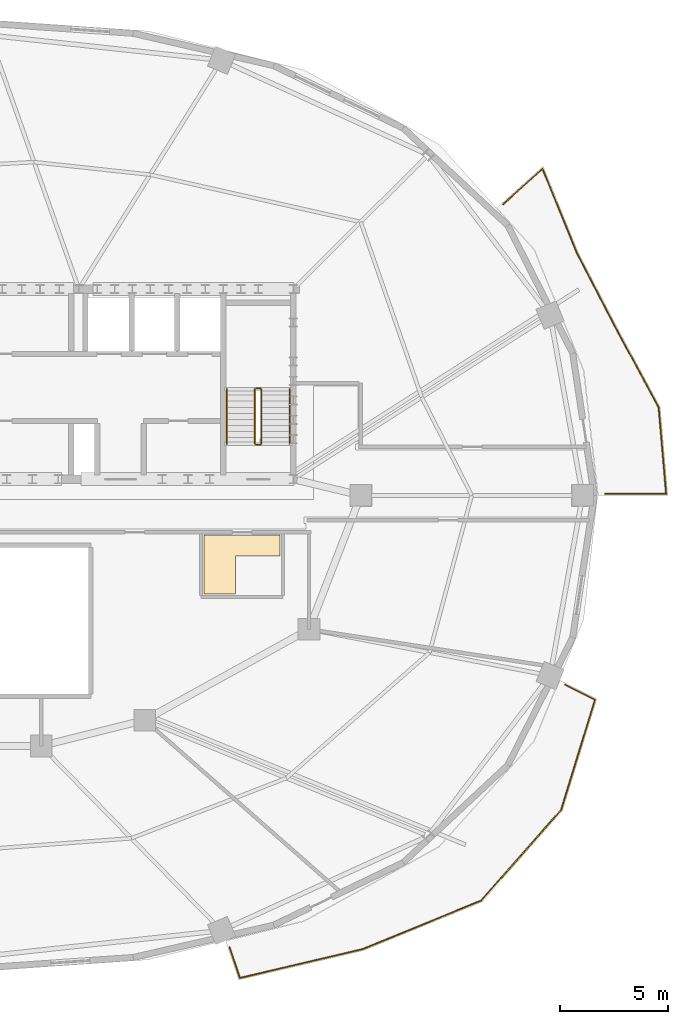
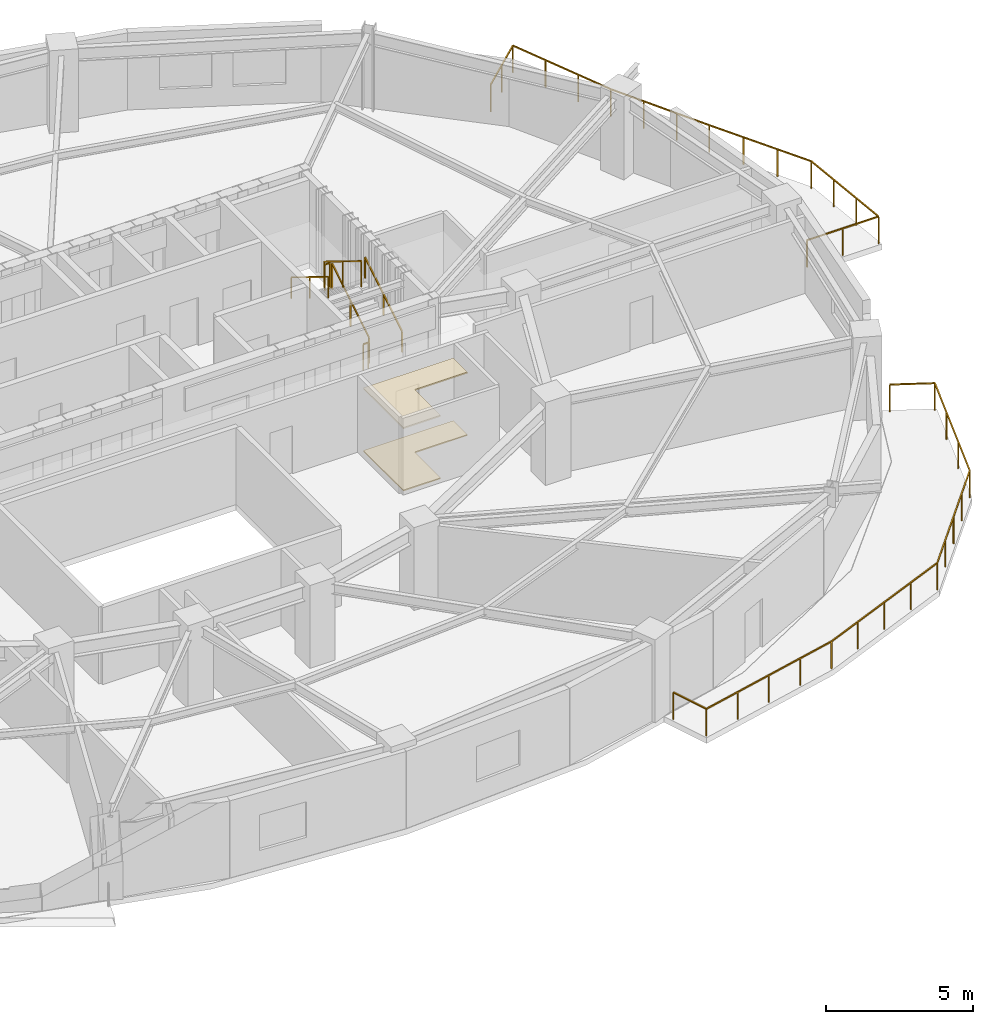
# One storey, part 11 of 11: 8 railings, 2 coverings.
"""IFC4 building model written with IfcOpenShell, lengths in metres."""

from ifc_helpers import new_model, si_unit, direction, frame, origin, origin_2d, place, context, subcontext, project, spatial, polyline, rectangle, outline, extrude, material, layer, layer_set, type_object, element, save


model = new_model("IFC4")

# Units and contexts
model_context = context("Model", 3, precision=1e-05, world=origin(), true_north=direction((0.0, 1.0)))
body_context = subcontext(model_context, "Body", "Model", "MODEL_VIEW")
ifc_project = project(units=[si_unit("LENGTHUNIT", "METRE"), si_unit("AREAUNIT", "SQUARE_METRE"), si_unit("VOLUMEUNIT", "CUBIC_METRE"), si_unit("PLANEANGLEUNIT", "RADIAN"), si_unit("MASSUNIT", "GRAM", prefix="KILO")], contexts=[model_context])

# Site, building, storey
site_placement = place(None, origin())
site = spatial("IfcSite", under=ifc_project, at=site_placement, CompositionType="ELEMENT")
building_placement = place(site_placement, origin())
building = spatial("IfcBuilding", under=site, at=building_placement, Name="Haldorwick Loom Tower", CompositionType="ELEMENT")
storey_placement = place(building_placement, frame((0.0, 0.0, 227.10009765625)))
storey = spatial("IfcBuildingStorey", under=building, at=storey_placement, Name="L61", CompositionType="ELEMENT", Elevation=227.10009765625)

# Coverings
ifc_material_1 = material(Name="Mineral Fibre Acoustic Ceiling Tile")
ifc_layer_1 = layer(ifc_material_1, 0.054931640625, Name="Mineral Fibre Acoustic Ceiling Tile")
ifc_layer_set_1 = layer_set([ifc_layer_1], Name="Mineral Fibre Acoustic Ceiling Tile")
covering_type_1 = type_object("IfcCoveringType", Name="ARC-COV-CEIL2", PredefinedType="CEILING", material=ifc_layer_set_1)
covering_1_placement = place(storey_placement, frame((0.0, 0.0, 2.594970703125)))
element("IfcCovering", 1, at=covering_1_placement, inside=storey, type_object=covering_type_1, Name="L61 Acoustic Suspended Ceiling 2", PredefinedType="CEILING", context=body_context, shape_type="SweptSolid", body=[
    extrude(outline(polyline([(45.929931640625, 24.159912109375), (45.929931640625, 21.429931640625), (47.39990234375, 21.429931640625), (47.39990234375, 23.199951171875), (49.469970703125, 23.199951171875), (49.469970703125, 24.159912109375), (45.929931640625, 24.159912109375)])), origin(), (0.0, 0.0, 1.0), 0.054931640625),
])
ifc_material_2 = material(Name="Polished Aggregate Terrazzo Finish")
ifc_layer_2 = layer(ifc_material_2, 0.044921875, Name="Polished Aggregate Terrazzo Finish")
ifc_layer_set_2 = layer_set([ifc_layer_2], Name="Polished Aggregate Terrazzo Finish")
covering_type_2 = type_object("IfcCoveringType", Name="ARC-COV-FLOOR2", PredefinedType="FLOORING", material=ifc_layer_set_2)
covering_2_placement = place(storey_placement, origin())
element("IfcCovering", 2, at=covering_2_placement, inside=storey, type_object=covering_type_2, Name="L61 Floor Finish 2", PredefinedType="FLOORING", context=body_context, shape_type="SweptSolid", body=[
    extrude(outline(polyline([(45.929931640625, 24.159912109375), (45.929931640625, 21.429931640625), (47.39990234375, 21.429931640625), (47.39990234375, 23.199951171875), (49.469970703125, 23.199951171875), (49.469970703125, 24.159912109375), (45.929931640625, 24.159912109375)])), origin(), (0.0, 0.0, 1.0), 0.044921875),
])

# Railings
ifc_material_3 = material(Name="Galvanized Steel CSA G40.21 350W", Category="steel")
railing_type_1 = type_object("IfcRailingType", Name="ARC-RLG-BAL115", PredefinedType="BALUSTRADE", material=ifc_material_3)
railing_1_placement = place(storey_placement, frame((62.661865234375, 17.236572265625, 0.0)))
element("IfcRailing", 3, at=railing_1_placement, inside=storey, type_object=railing_type_1, Name="L61 Outdoor Terrace Guardrail SLB-L61-BAL_SE-1", PredefinedType="BALUSTRADE", context=body_context, shape_type="SweptSolid", body=[
    extrude(rectangle(XDim=0.048095703125, YDim=0.048095703125, at=origin_2d()), frame((0.0, 0.0, 1.1259765625), z_axis=(0.892070683067, -0.451895891121, 0.0), x_axis=(0.451895891121, 0.892070683067, 0.0)), (0.0, 0.0, 1.0), 1.541259765625),
    extrude(rectangle(XDim=0.048095703125, YDim=0.048095703125, at=origin_2d()), frame((1.375, -0.696533203125, 1.1259765625), z_axis=(-0.294076193871, -0.955781979427, 0.0), x_axis=(0.955781979427, -0.294076193871, 0.0)), (0.0, 0.0, 1.0), 5.33056640625),
    extrude(rectangle(XDim=0.048095703125, YDim=0.048095703125, at=origin_2d()), frame((-0.192626953125, -5.79150390625, 1.1259765625), z_axis=(-0.661438460984, -0.749999441554, 0.0), x_axis=(0.749999441554, -0.661438460984, 0.0)), (0.0, 0.0, 1.0), 5.598876953125),
    extrude(rectangle(XDim=0.048095703125, YDim=0.048095703125, at=origin_2d()), frame((-3.89599609375, -9.99072265625, 1.1259765625), z_axis=(-0.925182772221, -0.379521854425, 0.0), x_axis=(0.379521854425, -0.925182772221, 0.0)), (0.0, 0.0, 1.0), 5.901611328125),
    extrude(rectangle(XDim=0.048095703125, YDim=0.048095703125, at=origin_2d()), frame((-9.35595703125, -12.23046875, 1.1259765625), z_axis=(-0.973411154272, -0.229064891984, 0.0), x_axis=(0.229064891984, -0.973411154272, 0.0)), (0.0, 0.0, 1.0), 5.856689453125),
    extrude(rectangle(XDim=0.048095703125, YDim=0.048095703125, at=origin_2d()), frame((-15.056884765625, -13.572021484375, 1.1259765625), z_axis=(-0.322484610665, 0.946574706975, 0.0), x_axis=(-0.946574706975, -0.322484610665, 0.0)), (0.0, 0.0, 1.0), 1.496826171875),
    extrude(rectangle(XDim=0.0419921875, YDim=0.0419921875, at=origin_2d()), origin(), (0.0, 0.0, 1.0), 1.101806640625),
    extrude(rectangle(XDim=0.0419921875, YDim=0.0419921875, at=origin_2d()), frame((1.375, -0.696533203125, 0.0)), (0.0, 0.0, 1.0), 1.101806640625),
    extrude(rectangle(XDim=0.0419921875, YDim=0.0419921875, at=origin_2d()), frame((0.8525390625, -2.394775390625, 0.0)), (0.0, 0.0, 1.0), 1.101806640625),
    extrude(rectangle(XDim=0.0419921875, YDim=0.0419921875, at=origin_2d()), frame((0.329833984375, -4.09326171875, 0.0)), (0.0, 0.0, 1.0), 1.101806640625),
    extrude(rectangle(XDim=0.0419921875, YDim=0.0419921875, at=origin_2d()), frame((-0.192626953125, -5.79150390625, 0.0)), (0.0, 0.0, 1.0), 1.101806640625),
    extrude(rectangle(XDim=0.0419921875, YDim=0.0419921875, at=origin_2d()), frame((-1.118408203125, -6.84130859375, 0.0)), (0.0, 0.0, 1.0), 1.101806640625),
    extrude(rectangle(XDim=0.0419921875, YDim=0.0419921875, at=origin_2d()), frame((-2.04443359375, -7.89111328125, 0.0)), (0.0, 0.0, 1.0), 1.101806640625),
    extrude(rectangle(XDim=0.0419921875, YDim=0.0419921875, at=origin_2d()), frame((-2.97021484375, -8.94091796875, 0.0)), (0.0, 0.0, 1.0), 1.101806640625),
    extrude(rectangle(XDim=0.0419921875, YDim=0.0419921875, at=origin_2d()), frame((-3.89599609375, -9.99072265625, 0.0)), (0.0, 0.0, 1.0), 1.101806640625),
    extrude(rectangle(XDim=0.0419921875, YDim=0.0419921875, at=origin_2d()), frame((-5.260986328125, -10.55078125, 0.0)), (0.0, 0.0, 1.0), 1.101806640625),
    extrude(rectangle(XDim=0.0419921875, YDim=0.0419921875, at=origin_2d()), frame((-6.6259765625, -11.110595703125, 0.0)), (0.0, 0.0, 1.0), 1.101806640625),
    extrude(rectangle(XDim=0.0419921875, YDim=0.0419921875, at=origin_2d()), frame((-7.990966796875, -11.67041015625, 0.0)), (0.0, 0.0, 1.0), 1.101806640625),
    extrude(rectangle(XDim=0.0419921875, YDim=0.0419921875, at=origin_2d()), frame((-9.35595703125, -12.23046875, 0.0)), (0.0, 0.0, 1.0), 1.101806640625),
    extrude(rectangle(XDim=0.0419921875, YDim=0.0419921875, at=origin_2d()), frame((-10.78125, -12.56591796875, 0.0)), (0.0, 0.0, 1.0), 1.101806640625),
    extrude(rectangle(XDim=0.0419921875, YDim=0.0419921875, at=origin_2d()), frame((-12.20654296875, -12.9013671875, 0.0)), (0.0, 0.0, 1.0), 1.101806640625),
    extrude(rectangle(XDim=0.0419921875, YDim=0.0419921875, at=origin_2d()), frame((-13.631591796875, -13.236572265625, 0.0)), (0.0, 0.0, 1.0), 1.101806640625),
    extrude(rectangle(XDim=0.0419921875, YDim=0.0419921875, at=origin_2d()), frame((-15.056884765625, -13.572021484375, 0.0)), (0.0, 0.0, 1.0), 1.101806640625),
    extrude(rectangle(XDim=0.0419921875, YDim=0.0419921875, at=origin_2d()), frame((-15.53955078125, -12.1552734375, 0.0)), (0.0, 0.0, 1.0), 1.101806640625),
])
railing_2_placement = place(storey_placement, frame((59.78955078125, 39.4794921875, 0.0)))
element("IfcRailing", 4, at=railing_2_placement, inside=storey, type_object=railing_type_1, Name="L61 Outdoor Terrace Guardrail SLB-L61-BAL_ENE-1", PredefinedType="BALUSTRADE", context=body_context, shape_type="SweptSolid", body=[
    extrude(rectangle(XDim=0.048095703125, YDim=0.048095703125, at=origin_2d()), frame((0.0, 0.0, 1.1259765625), z_axis=(0.743527246885, 0.668705640128, 0.0), x_axis=(-0.668705640128, 0.743527246885, 0.0)), (0.0, 0.0, 1.0), 2.447265625),
    extrude(rectangle(XDim=0.048095703125, YDim=0.048095703125, at=origin_2d()), frame((1.819580078125, 1.636474609375, 1.1259765625), z_axis=(0.377677997982, -0.92593700101, 0.0), x_axis=(0.92593700101, 0.377677997982, 0.0)), (0.0, 0.0, 1.0), 4.232177734375),
    extrude(rectangle(XDim=0.048095703125, YDim=0.048095703125, at=origin_2d()), frame((3.41796875, -2.2822265625, 1.1259765625), z_axis=(0.421111306455, -0.907008967748, 0.0), x_axis=(0.907008967748, 0.421111306455, 0.0)), (0.0, 0.0, 1.0), 0.007568359375),
    extrude(rectangle(XDim=0.048095703125, YDim=0.048095703125, at=origin_2d()), frame((3.421142578125, -2.2890625, 1.1259765625), z_axis=(0.461673716172, -0.887049818102, 0.0), x_axis=(0.887049818102, 0.461673716172, 0.0)), (0.0, 0.0, 1.0), 3.97509765625),
    extrude(rectangle(XDim=0.048095703125, YDim=0.048095703125, at=origin_2d()), frame((5.25634765625, -5.815185546875, 1.1259765625), z_axis=(0.514495755428, -0.857492925713, 0.0), x_axis=(0.857492925713, 0.514495755428, 0.0)), (0.0, 0.0, 1.0), 0.00146484375),
    extrude(rectangle(XDim=0.048095703125, YDim=0.048095703125, at=origin_2d()), frame((5.257080078125, -5.81640625, 1.1259765625), z_axis=(0.474609343483, -0.880196552526, 0.0), x_axis=(0.880196552526, 0.474609343483, 0.0)), (0.0, 0.0, 1.0), 4.08544921875),
    extrude(rectangle(XDim=0.048095703125, YDim=0.048095703125, at=origin_2d()), frame((7.196044921875, -9.412353515625, 1.1259765625), z_axis=(0.085837181649, -0.99630917804, 0.0), x_axis=(0.99630917804, 0.085837181649, 0.0)), (0.0, 0.0, 1.0), 4.001708984375),
    extrude(rectangle(XDim=0.048095703125, YDim=0.048095703125, at=origin_2d()), frame((7.53955078125, -13.3994140625, 1.1259765625), z_axis=(-1.0, 0.0, 0.0), x_axis=(0.0, -1.0, 0.0)), (0.0, 0.0, 1.0), 2.819580078125),
    extrude(rectangle(XDim=0.0419921875, YDim=0.0419921875, at=origin_2d()), origin(), (0.0, 0.0, 1.0), 1.101806640625),
    extrude(rectangle(XDim=0.0419921875, YDim=0.0419921875, at=origin_2d()), frame((0.90966796875, 0.818359375, 0.0)), (0.0, 0.0, 1.0), 1.101806640625),
    extrude(rectangle(XDim=0.0419921875, YDim=0.0419921875, at=origin_2d()), frame((1.819580078125, 1.636474609375, 0.0)), (0.0, 0.0, 1.0), 1.101806640625),
    extrude(rectangle(XDim=0.0419921875, YDim=0.0419921875, at=origin_2d()), frame((2.352294921875, 0.330322265625, 0.0)), (0.0, 0.0, 1.0), 1.101806640625),
    extrude(rectangle(XDim=0.0419921875, YDim=0.0419921875, at=origin_2d()), frame((2.88525390625, -0.97607421875, 0.0)), (0.0, 0.0, 1.0), 1.101806640625),
    extrude(rectangle(XDim=0.0419921875, YDim=0.0419921875, at=origin_2d()), frame((3.41796875, -2.2822265625, 0.0)), (0.0, 0.0, 1.0), 1.101806640625),
    extrude(rectangle(XDim=0.0419921875, YDim=0.0419921875, at=origin_2d()), frame((4.032958984375, -3.46435546875, 0.0)), (0.0, 0.0, 1.0), 1.101806640625),
    extrude(rectangle(XDim=0.0419921875, YDim=0.0419921875, at=origin_2d()), frame((4.64453125, -4.639892578125, 0.0)), (0.0, 0.0, 1.0), 1.101806640625),
    extrude(rectangle(XDim=0.0419921875, YDim=0.0419921875, at=origin_2d()), frame((5.25634765625, -5.815185546875, 0.0)), (0.0, 0.0, 1.0), 1.101806640625),
    extrude(rectangle(XDim=0.0419921875, YDim=0.0419921875, at=origin_2d()), frame((5.9033203125, -7.01513671875, 0.0)), (0.0, 0.0, 1.0), 1.101806640625),
    extrude(rectangle(XDim=0.0419921875, YDim=0.0419921875, at=origin_2d()), frame((6.5498046875, -8.213623046875, 0.0)), (0.0, 0.0, 1.0), 1.101806640625),
    extrude(rectangle(XDim=0.0419921875, YDim=0.0419921875, at=origin_2d()), frame((7.196044921875, -9.412353515625, 0.0)), (0.0, 0.0, 1.0), 1.101806640625),
    extrude(rectangle(XDim=0.0419921875, YDim=0.0419921875, at=origin_2d()), frame((7.310546875, -10.741455078125, 0.0)), (0.0, 0.0, 1.0), 1.101806640625),
    extrude(rectangle(XDim=0.0419921875, YDim=0.0419921875, at=origin_2d()), frame((7.425048828125, -12.0703125, 0.0)), (0.0, 0.0, 1.0), 1.101806640625),
    extrude(rectangle(XDim=0.0419921875, YDim=0.0419921875, at=origin_2d()), frame((7.53955078125, -13.3994140625, 0.0)), (0.0, 0.0, 1.0), 1.101806640625),
    extrude(rectangle(XDim=0.0419921875, YDim=0.0419921875, at=origin_2d()), frame((6.1298828125, -13.3994140625, 0.0)), (0.0, 0.0, 1.0), 1.101806640625),
    extrude(rectangle(XDim=0.0419921875, YDim=0.0419921875, at=origin_2d()), frame((4.719970703125, -13.3994140625, 0.0)), (0.0, 0.0, 1.0), 1.101806640625),
])
ifc_material_4 = material(Name="Steel CSA G40.21 350W", Category="steel")
railing_type_2 = type_object("IfcRailingType", Name="ARC-RLG-GUARD112", PredefinedType="GUARDRAIL", material=ifc_material_4)
railing_3_placement = place(storey_placement, frame((48.60009765625, 28.39990234375, 0.17236328125)))
element("IfcRailing", 5, at=railing_3_placement, inside=storey, type_object=railing_type_2, Name="L61 ST-02 stair guard 1", PredefinedType="GUARDRAIL", context=body_context, shape_type="SweptSolid", body=[
    extrude(rectangle(XDim=0.048095703125, YDim=0.048095703125, at=origin_2d()), frame((0.0, 0.0, 1.076171875), z_axis=(0.0, 0.851400495292, 0.524516154772), x_axis=(-1.0, 0.0, 0.0)), (0.0, 0.0, 1.0), 2.9599609375),
    extrude(rectangle(XDim=0.0419921875, YDim=0.0419921875, at=origin_2d()), origin(), (0.0, 0.0, 1.0), 1.052001953125),
    extrude(rectangle(XDim=0.0419921875, YDim=0.0419921875, at=origin_2d()), frame((0.0, 1.260009765625, 0.7763671875)), (0.0, 0.0, 1.0), 1.052001953125),
    extrude(rectangle(XDim=0.0419921875, YDim=0.0419921875, at=origin_2d()), frame((0.0, 2.52001953125, 1.552490234375)), (0.0, 0.0, 1.0), 1.052001953125),
])
railing_4_placement = place(storey_placement, frame((48.550048828125, 30.969970703125, 1.724853515625)))
element("IfcRailing", 6, at=railing_4_placement, inside=storey, type_object=railing_type_2, Name="L61 ST-02 stair guard 2", PredefinedType="GUARDRAIL", context=body_context, shape_type="SweptSolid", body=[
    extrude(rectangle(XDim=0.048095703125, YDim=0.048095703125, at=origin_2d()), frame((0.0, 0.0, 1.076171875), z_axis=(-1.0, 0.0, 0.0), x_axis=(0.0, -1.0, 0.0)), (0.0, 0.0, 1.0), 0.199951171875),
    extrude(rectangle(XDim=0.0419921875, YDim=0.0419921875, at=origin_2d()), origin(), (0.0, 0.0, 1.0), 1.052001953125),
    extrude(rectangle(XDim=0.0419921875, YDim=0.0419921875, at=origin_2d()), frame((-0.199951171875, 0.0, 0.0)), (0.0, 0.0, 1.0), 1.052001953125),
])
railing_5_placement = place(storey_placement, frame((48.300048828125, 30.919921875, 1.8974609375)))
element("IfcRailing", 7, at=railing_5_placement, inside=storey, type_object=railing_type_2, Name="L61 ST-02 stair guard 3", PredefinedType="GUARDRAIL", context=body_context, shape_type="SweptSolid", body=[
    extrude(rectangle(XDim=0.048095703125, YDim=0.048095703125, at=origin_2d()), frame((0.0, 0.0, 1.076171875), z_axis=(0.0, -0.851400495292, 0.524516154772), x_axis=(1.0, 0.0, 0.0)), (0.0, 0.0, 1.0), 2.9599609375),
    extrude(rectangle(XDim=0.0419921875, YDim=0.0419921875, at=origin_2d()), origin(), (0.0, 0.0, 1.0), 1.052001953125),
    extrude(rectangle(XDim=0.0419921875, YDim=0.0419921875, at=origin_2d()), frame((0.0, -1.260009765625, 0.7763671875)), (0.0, 0.0, 1.0), 1.052001953125),
    extrude(rectangle(XDim=0.0419921875, YDim=0.0419921875, at=origin_2d()), frame((0.0, -2.52001953125, 1.552490234375)), (0.0, 0.0, 1.0), 1.052001953125),
])
railing_6_placement = place(storey_placement, frame((48.550048828125, 28.35009765625, 0.0)))
element("IfcRailing", 8, at=railing_6_placement, inside=storey, type_object=railing_type_2, Name="L61 ST-02 stair guard 4", PredefinedType="GUARDRAIL", context=body_context, shape_type="SweptSolid", body=[
    extrude(rectangle(XDim=0.048095703125, YDim=0.048095703125, at=origin_2d()), frame((0.0, 0.0, 1.076171875), z_axis=(-1.0, 0.0, 0.0), x_axis=(0.0, -1.0, 0.0)), (0.0, 0.0, 1.0), 0.199951171875),
    extrude(rectangle(XDim=0.0419921875, YDim=0.0419921875, at=origin_2d()), origin(), (0.0, 0.0, 1.0), 1.052001953125),
    extrude(rectangle(XDim=0.0419921875, YDim=0.0419921875, at=origin_2d()), frame((-0.199951171875, 0.0, 0.0)), (0.0, 0.0, 1.0), 1.052001953125),
])
railing_type_3 = type_object("IfcRailingType", Name="ARC-RLG-HAND092", PredefinedType="HANDRAIL", material=ifc_material_4)
railing_7_placement = place(storey_placement, frame((49.89990234375, 28.39990234375, 0.17236328125)))
element("IfcRailing", 9, at=railing_7_placement, inside=storey, type_object=railing_type_3, Name="L61 ST-02 stair handrail 1", PredefinedType="HANDRAIL", context=body_context, shape_type="SweptSolid", body=[
    extrude(rectangle(XDim=0.048095703125, YDim=0.048095703125, at=origin_2d()), frame((0.0, 0.0, 0.8759765625), z_axis=(0.0, 0.851400495292, 0.524516154772), x_axis=(-1.0, 0.0, 0.0)), (0.0, 0.0, 1.0), 2.9599609375),
    extrude(rectangle(XDim=0.0419921875, YDim=0.0419921875, at=origin_2d()), origin(), (0.0, 0.0, 1.0), 0.851806640625),
    extrude(rectangle(XDim=0.0419921875, YDim=0.0419921875, at=origin_2d()), frame((0.0, 1.260009765625, 0.7763671875)), (0.0, 0.0, 1.0), 0.851806640625),
    extrude(rectangle(XDim=0.0419921875, YDim=0.0419921875, at=origin_2d()), frame((0.0, 2.52001953125, 1.552490234375)), (0.0, 0.0, 1.0), 0.851806640625),
])
railing_8_placement = place(storey_placement, frame((47.0, 30.919921875, 1.8974609375)))
element("IfcRailing", 10, at=railing_8_placement, inside=storey, type_object=railing_type_3, Name="L61 ST-02 stair handrail 2", PredefinedType="HANDRAIL", context=body_context, shape_type="SweptSolid", body=[
    extrude(rectangle(XDim=0.048095703125, YDim=0.048095703125, at=origin_2d()), frame((0.0, 0.0, 0.8759765625), z_axis=(0.0, -0.851400495292, 0.524516154772), x_axis=(1.0, 0.0, 0.0)), (0.0, 0.0, 1.0), 2.9599609375),
    extrude(rectangle(XDim=0.0419921875, YDim=0.0419921875, at=origin_2d()), origin(), (0.0, 0.0, 1.0), 0.851806640625),
    extrude(rectangle(XDim=0.0419921875, YDim=0.0419921875, at=origin_2d()), frame((0.0, -1.260009765625, 0.7763671875)), (0.0, 0.0, 1.0), 0.851806640625),
    extrude(rectangle(XDim=0.0419921875, YDim=0.0419921875, at=origin_2d()), frame((0.0, -2.52001953125, 1.552490234375)), (0.0, 0.0, 1.0), 0.851806640625),
])

save(model, "model.ifc")
